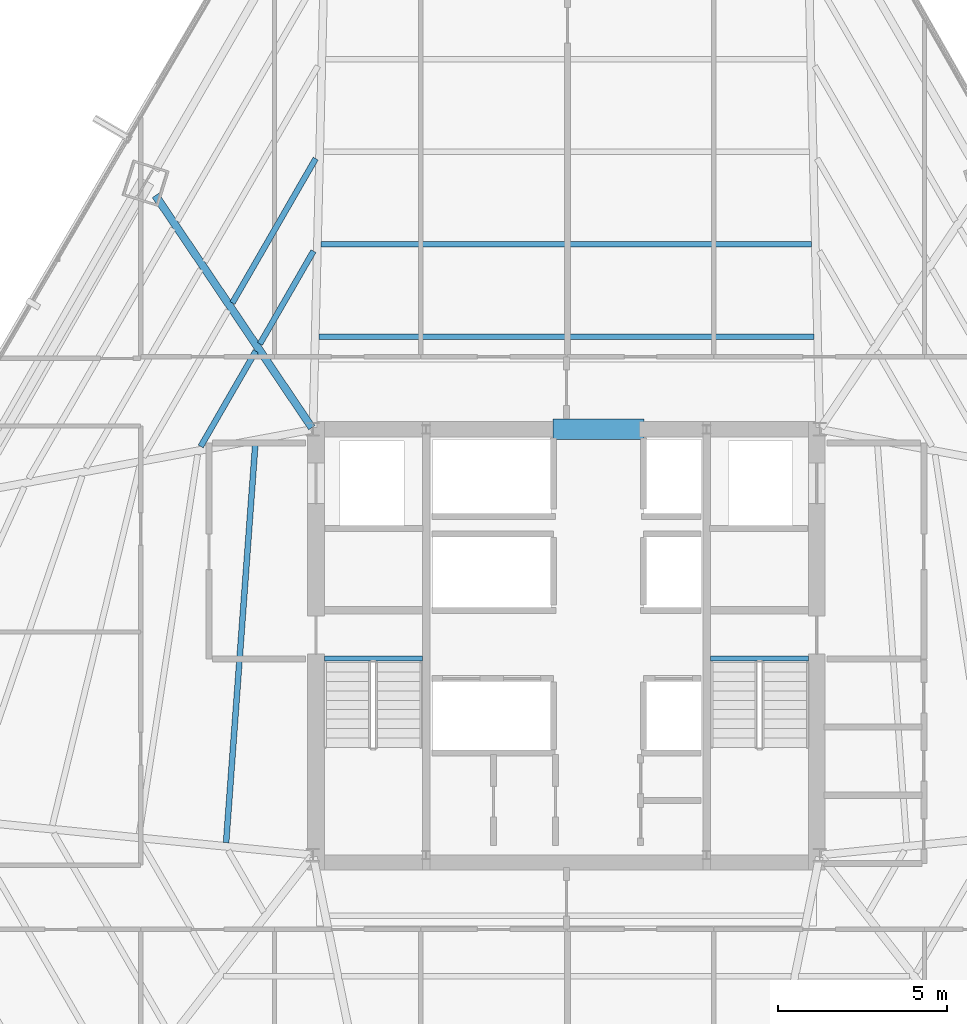
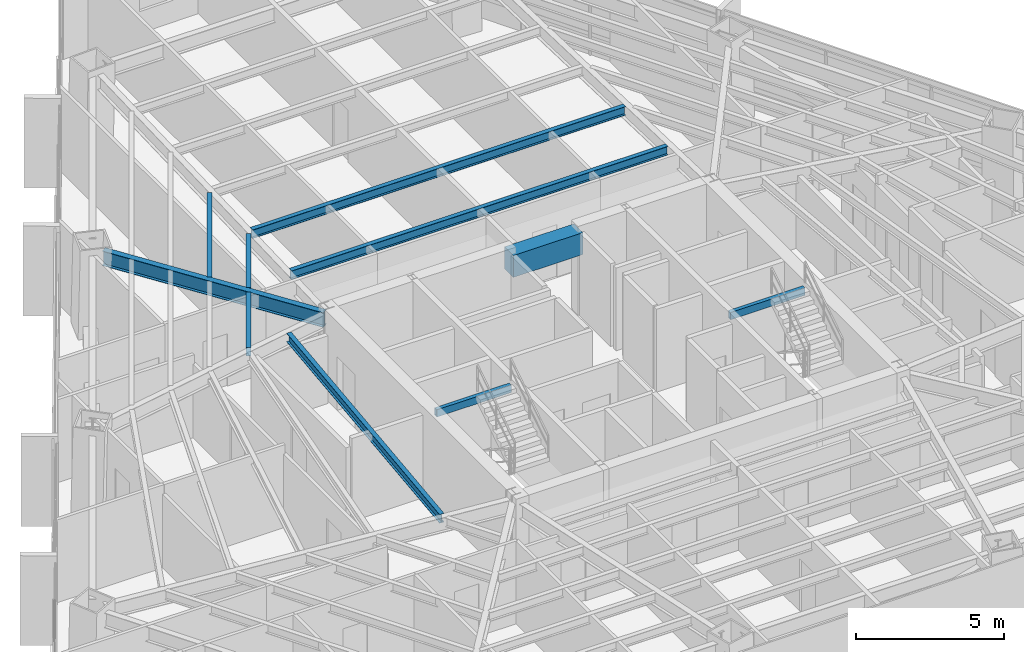
# One storey, part 15 of 37: 10 beams.
"""IFC4 building model written with IfcOpenShell, lengths in metres."""

import ifcopenshell
import ifcopenshell.guid

model = None  # the IFC model being written
_history = None  # IfcOwnerHistory: only IFC2X3 demands one
_inside = {}  # id of a spatial element -> (the spatial element, [elements in it])
_under = {}  # id of a project, library or spatial element -> (it, [spatial elements below it])
_declared = {}  # id of a project -> (the project, [libraries it declares])
_typed = {}  # id of a type object -> (the type object, [elements of that type])
_made_of = {}  # id of a material, layer set ... -> (it, [elements and type objects made of it])


def new_model(schema):
    """Start an empty IFC model of exactly this schema.

    Asked for "IFC4X3", IfcOpenShell would pick the latest addendum, in which some entities
    have other attributes; the version numbers below select the first issue.
    IFC2X3 requires an IfcOwnerHistory on every rooted entity: one is made here for all.
    """
    global model, _history
    if schema == "IFC4X3":
        model = ifcopenshell.file(schema_version=(4, 3, 0, 0))
    else:
        model = ifcopenshell.file(schema=schema)
    _inside.clear()
    _under.clear()
    _declared.clear()
    _typed.clear()
    _made_of.clear()
    _history = None
    if model.schema == "IFC2X3":
        org = make("IfcOrganization", Name="unknown")
        user = make(
            "IfcPersonAndOrganization",
            ThePerson=make("IfcPerson", FamilyName="unknown"),
            TheOrganization=org,
        )
        app = make(
            "IfcApplication",
            ApplicationDeveloper=org,
            Version="unknown",
            ApplicationFullName="unknown",
            ApplicationIdentifier="unknown",
        )
        _history = make(
            "IfcOwnerHistory",
            OwningUser=user,
            OwningApplication=app,
            ChangeAction="ADDED",
            CreationDate=0,
        )
    return model


def make(cls, **values):
    """One entity of the class cls with the attributes given. An attribute that is None is left unset."""
    return model.create_entity(
        cls, **{name: value for name, value in values.items() if value is not None}
    )


def rooted(cls, **values):
    """An entity with a GlobalId (a new one), such as an element, a storey or a relation."""
    return make(cls, GlobalId=ifcopenshell.guid.new(), OwnerHistory=_history, **values)


def si_unit(unit_type, name, prefix=None):
    """IfcSIUnit, for example si_unit("LENGTHUNIT", "METRE", prefix="MILLI")."""
    return make("IfcSIUnit", UnitType=unit_type, Prefix=prefix, Name=name)


def assignment(units):
    """IfcUnitAssignment: the units of a project."""
    return None if units is None else make("IfcUnitAssignment", Units=units)


def point(xyz):
    """IfcCartesianPoint."""
    return None if xyz is None else make("IfcCartesianPoint", Coordinates=xyz)


def direction(xyz):
    """IfcDirection."""
    return None if xyz is None else make("IfcDirection", DirectionRatios=xyz)


def frame(location, z_axis=None, x_axis=None):
    """IfcAxis2Placement3D, a coordinate frame: its origin and axes. An axis left out is left unset."""
    return make(
        "IfcAxis2Placement3D",
        Location=point(location),
        Axis=direction(z_axis),
        RefDirection=direction(x_axis),
    )


def frame_2d(location, x_axis=None):
    """IfcAxis2Placement2D, a coordinate frame in the plane: its origin and x axis."""
    return make(
        "IfcAxis2Placement2D", Location=point(location), RefDirection=direction(x_axis)
    )


def origin():
    """The frame at (0, 0, 0) with its axes left unset."""
    return frame((0.0, 0.0, 0.0))


def origin_2d():
    """The frame at (0, 0) in the plane with its x axis left unset."""
    return frame_2d((0.0, 0.0))


def place(relative_to, where):
    """IfcLocalPlacement: puts the frame where relative to a parent placement (None: the world)."""
    return make(
        "IfcLocalPlacement", PlacementRelTo=relative_to, RelativePlacement=where
    )


def context(
    kind, dimensions, precision=None, world=None, true_north=None, identifier=None
):
    """IfcGeometricRepresentationContext, for example the 3D "Model" context."""
    return make(
        "IfcGeometricRepresentationContext",
        ContextIdentifier=identifier,
        ContextType=kind,
        CoordinateSpaceDimension=dimensions,
        Precision=precision,
        WorldCoordinateSystem=world,
        TrueNorth=true_north,
    )


def subcontext(parent, identifier, kind, view, scale=None):
    """IfcGeometricRepresentationSubContext, for example "Body" below "Model"."""
    return make(
        "IfcGeometricRepresentationSubContext",
        ContextIdentifier=identifier,
        ContextType=kind,
        ParentContext=parent,
        TargetScale=scale,
        TargetView=view,
    )


def project(units=None, contexts=None):
    """IfcProject with its units and contexts."""
    return rooted(
        "IfcProject",
        Name="project",
        RepresentationContexts=contexts,
        UnitsInContext=assignment(units),
    )


def spatial(cls, under=None, at=None, **own):
    """A site, building, storey or space (cls), placed at a placement, below another one or the project."""
    s = rooted(cls, ObjectPlacement=at, **own)
    if under is not None:
        _under.setdefault(under.id(), (under, []))[1].append(s)
    return s


def profile(cls, at=None, kind="AREA", **sizes):
    """A parametric profile (cls). Its sizes go by their IFC names, for example OverallWidth=200.0."""
    return make(cls, ProfileType=kind, Position=at, **sizes)


def rectangle(**sizes):
    """IfcRectangleProfileDef."""
    return profile("IfcRectangleProfileDef", **sizes)


def hollow_rectangle(**sizes):
    """IfcRectangleHollowProfileDef."""
    return profile("IfcRectangleHollowProfileDef", **sizes)


def i_section(**sizes):
    """IfcIShapeProfileDef."""
    return profile("IfcIShapeProfileDef", **sizes)


def extrude(swept, where, along, depth):
    """IfcExtrudedAreaSolid: the profile swept, set in the frame where, extruded along a direction by depth."""
    return make(
        "IfcExtrudedAreaSolid",
        SweptArea=swept,
        Position=where,
        ExtrudedDirection=direction(along),
        Depth=depth,
    )


def shape(context_of_items, identifier, shape_type, items):
    """IfcShapeRepresentation: the items that make up one representation, for example the "Body"."""
    return make(
        "IfcShapeRepresentation",
        ContextOfItems=context_of_items,
        RepresentationIdentifier=identifier,
        RepresentationType=shape_type,
        Items=items,
    )


def source(mapping_origin, context_of_items, identifier, shape_type, items):
    """IfcRepresentationMap: a shape defined once, which mapped items show again and again."""
    return make(
        "IfcRepresentationMap",
        MappingOrigin=mapping_origin,
        MappedRepresentation=shape(context_of_items, identifier, shape_type, items),
    )


def transform(
    local_origin,
    x_axis=None,
    y_axis=None,
    z_axis=None,
    scale=None,
    scale2=None,
    scale3=None,
    uniform=True,
):
    """IfcCartesianTransformationOperator3D, or its non-uniform kind. x_axis, y_axis, z_axis: its Axis1, 2, 3."""
    if uniform:
        return make(
            "IfcCartesianTransformationOperator3D",
            Axis1=direction(x_axis),
            Axis2=direction(y_axis),
            LocalOrigin=point(local_origin),
            Scale=scale,
            Axis3=direction(z_axis),
        )
    return make(
        "IfcCartesianTransformationOperator3DnonUniform",
        Axis1=direction(x_axis),
        Axis2=direction(y_axis),
        LocalOrigin=point(local_origin),
        Scale=scale,
        Axis3=direction(z_axis),
        Scale2=scale2,
        Scale3=scale3,
    )


def mapped(mapping_source, mapping_target):
    """IfcMappedItem: shows the shape of a source again, moved by a transform."""
    return make(
        "IfcMappedItem", MappingSource=mapping_source, MappingTarget=mapping_target
    )


def material(Name=None, Category=None):
    """IfcMaterial."""
    return make("IfcMaterial", Name=Name, Category=Category)


def material_profile(
    of_material, cross_section, Name=None, Category=None, Priority=None
):
    """IfcMaterialProfile: a cross section and its material."""
    return make(
        "IfcMaterialProfile",
        Name=Name,
        Material=of_material,
        Profile=cross_section,
        Priority=Priority,
        Category=Category,
    )


def profile_set(profiles, Name=None, composite=None):
    """IfcMaterialProfileSet."""
    return make(
        "IfcMaterialProfileSet",
        Name=Name,
        MaterialProfiles=profiles,
        CompositeProfile=composite,
    )


def made_of(thing, what):
    """Note that an element or type object is made of a material, layer set ...; save() writes the relation."""
    if what is not None:
        _made_of.setdefault(what.id(), (what, []))[1].append(thing)
    return thing


def type_object(cls, material=None, **own):
    """A type object (cls), such as IfcWallType, which elements share."""
    return made_of(rooted(cls, **own), material)


def type_shapes(of_type, sources):
    """Give a type object the sources (RepresentationMaps) that its elements show as mapped items."""
    of_type.RepresentationMaps = sources


def element(
    cls,
    number,
    at=None,
    inside=None,
    cuts=None,
    type_object=None,
    material=None,
    context=None,
    identifier="Body",
    shape_type=None,
    held_by="IfcProductDefinitionShape",
    body=None,
    shapes=None,
    **own,
):
    """One element of the class cls, such as IfcWall. Its Tag is "e" and its number.

    at: its placement. inside: the storey or other place that contains it. cuts: it is an
    opening in that element (IfcRelVoidsElement). A single representation is given by context,
    identifier, shape_type and body (its items); several are given by shapes. held_by: the class
    of the entity that holds the representations. save() writes the other relations.
    """
    e = rooted(cls, Tag="e%d" % number, ObjectPlacement=at, **own)
    if body is not None:
        shapes = [shape(context, identifier, shape_type, body)]
    if shapes is not None:
        e.Representation = make(held_by, Representations=shapes)
    if inside is not None:
        _inside.setdefault(inside.id(), (inside, []))[1].append(e)
    if cuts is not None:
        rooted(
            "IfcRelVoidsElement", RelatingBuildingElement=cuts, RelatedOpeningElement=e
        )
    if type_object is not None:
        _typed.setdefault(type_object.id(), (type_object, []))[1].append(e)
    return made_of(e, material)


def aggregate(whole, parts):
    """IfcRelAggregates: a whole, such as a stair, and the parts it consists of."""
    return rooted("IfcRelAggregates", RelatingObject=whole, RelatedObjects=parts)


def save(model, path):
    """Write the relations noted so far, then the file.

    IfcRelAggregates (storeys below a building ...), IfcRelContainedInSpatialStructure (elements
    in a storey), IfcRelDefinesByType, IfcRelAssociatesMaterial and IfcRelDeclares: one each for
    every whole, place, type object, material and project.
    """
    for whole, parts in _under.values():
        aggregate(whole, parts)
    for where, things in _inside.values():
        rooted(
            "IfcRelContainedInSpatialStructure",
            RelatedElements=things,
            RelatingStructure=where,
        )
    for kind, things in _typed.values():
        rooted("IfcRelDefinesByType", RelatedObjects=things, RelatingType=kind)
    for what, things in _made_of.values():
        rooted("IfcRelAssociatesMaterial", RelatedObjects=things, RelatingMaterial=what)
    for by, libraries in _declared.values():
        rooted("IfcRelDeclares", RelatingContext=by, RelatedDefinitions=libraries)
    model.write(path)


model = new_model("IFC4")

# Units and contexts
model_context = context("Model", 3, precision=1e-05, world=origin(), true_north=direction((0.0, 1.0)))
body_context = subcontext(model_context, "Body", "Model", "MODEL_VIEW")
ifc_project = project(units=[si_unit("LENGTHUNIT", "METRE"), si_unit("AREAUNIT", "SQUARE_METRE"), si_unit("VOLUMEUNIT", "CUBIC_METRE"), si_unit("PLANEANGLEUNIT", "RADIAN"), si_unit("MASSUNIT", "GRAM", prefix="KILO")], contexts=[model_context])

# Site, building, storey
site_placement = place(None, origin())
site = spatial("IfcSite", under=ifc_project, at=site_placement, CompositionType="ELEMENT")
building_placement = place(site_placement, origin())
building = spatial("IfcBuilding", under=site, at=building_placement, Name="Caelisora Broadcast Tower", CompositionType="ELEMENT")
storey_placement = place(building_placement, frame((0.0, 0.0, 116.35009765625)))
storey = spatial("IfcBuildingStorey", under=building, at=storey_placement, Name="L30", CompositionType="ELEMENT", Elevation=116.35009765625)

# Beams
ifc_material_1 = material(Name="Steel Grade 350 (AS/NZS 1163 C350L0)", Category="steel")
ifc_material_profile_1 = material_profile(ifc_material_1, hollow_rectangle(XDim=0.14990234375, YDim=0.300048828125, WallThickness=0.010009765625, at=origin_2d()), Name="Steel Grade 350 (AS/NZS 1163 C350L0)")
ifc_profile_set_1 = profile_set([ifc_material_profile_1], Name="Steel Grade 350 (AS/NZS 1163 C350L0)")
beam_type_1 = type_object("IfcBeamType", Name="SB05", PredefinedType="JOIST", material=ifc_profile_set_1)
shared_shape_1 = source(origin(), body_context, "Body", "SweptSolid", [
    extrude(hollow_rectangle(XDim=0.14990234375, YDim=0.300048828125, WallThickness=0.010009765625, at=origin_2d()), origin(), (0.0, 0.0, 1.0), 2.89990234375),
])
type_shapes(beam_type_1, [shared_shape_1])
for number, where, z_axis, x_axis, name in (
    (1, (30.840087890625, 23.219970703125, 3.25), (1.0, 0.0, 0.0), (0.0, 1.0, 0.0), "L30 beam SB05"),
    (2, (42.260009765625, 23.219970703125, 3.25), (1.0, 0.0, 0.0), (0.0, 1.0, 0.0), "L30 beam SB05"),
):
    element("IfcBeam", number, at=place(storey_placement, frame(where, z_axis=z_axis, x_axis=x_axis)), inside=storey, type_object=beam_type_1, Name=name, PredefinedType="JOIST", context=body_context, shape_type="MappedRepresentation", body=[
        mapped(shared_shape_1, transform((0.0, 0.0, 0.0), scale=1.0)),
    ])
ifc_material_2 = material(Name="Concrete 50 MPa (AS 3600 S50)", Category="concrete")
ifc_material_profile_2 = material_profile(ifc_material_2, rectangle(XDim=0.60009765625, YDim=0.89990234375, at=origin_2d()), Name="Concrete 50 MPa (AS 3600 S50)")
ifc_profile_set_2 = profile_set([ifc_material_profile_2], Name="Concrete 50 MPa (AS 3600 S50)")
beam_type_2 = type_object("IfcBeamType", Name="CB02", PredefinedType="LINTEL", material=ifc_profile_set_2)
shared_shape_2 = source(origin(), body_context, "Body", "SweptSolid", [
    extrude(rectangle(XDim=0.60009765625, YDim=0.89990234375, at=origin_2d()), origin(), (0.0, 0.0, 1.0), 2.699951171875),
])
type_shapes(beam_type_2, [shared_shape_2])
beam_1_placement = place(storey_placement, frame((37.60009765625, 30.0, 2.949951171875), z_axis=(1.0, 0.0, 0.0), x_axis=(0.0, 1.0, 0.0)))
element("IfcBeam", 3, at=beam_1_placement, inside=storey, type_object=beam_type_2, Name="L30 beam CB02", PredefinedType="LINTEL", context=body_context, shape_type="MappedRepresentation", body=[
    mapped(shared_shape_2, transform((0.0, 0.0, 0.0), scale=1.0)),
])
ifc_material_3 = material(Name="Steel Grade 350 (AS/NZS 3679.1)", Category="steel")
ifc_material_profile_3 = material_profile(ifc_material_3, i_section(OverallWidth=0.22802734375, OverallDepth=0.602294921875, WebThickness=0.010498046875, FlangeThickness=0.014892578125, at=origin_2d()), Name="Steel Grade 350 (AS/NZS 3679.1)")
ifc_profile_set_3 = profile_set([ifc_material_profile_3], Name="Steel Grade 350 (AS/NZS 3679.1)")
beam_type_3 = type_object("IfcBeamType", Name="PG04", PredefinedType="BEAM", material=ifc_profile_set_3)
shared_shape_3 = source(origin(), body_context, "Body", "SweptSolid", [
    extrude(i_section(OverallWidth=0.22802734375, OverallDepth=0.602294921875, WebThickness=0.010498046875, FlangeThickness=0.014892578125, at=origin_2d()), origin(), (0.0, 0.0, 1.0), 8.28369140625),
])
type_shapes(beam_type_3, [shared_shape_3])
beam_2_placement = place(storey_placement, frame((30.466552734375, 30.0498046875, 3.098876953125), z_axis=(-0.558733613554, 0.829347182478, 0.0), x_axis=(-0.829347182478, -0.558733613554, 0.0)))
element("IfcBeam", 4, at=beam_2_placement, inside=storey, type_object=beam_type_3, Name="L30 beam PG04", PredefinedType="BEAM", context=body_context, shape_type="MappedRepresentation", body=[
    mapped(shared_shape_3, transform((0.0, 0.0, 0.0), scale=1.0)),
])
ifc_material_profile_4 = material_profile(ifc_material_3, i_section(OverallWidth=0.172119140625, OverallDepth=0.358642578125, WebThickness=0.008056640625, FlangeThickness=0.012939453125, at=origin_2d()), Name="Steel Grade 350 (AS/NZS 3679.1)")
ifc_profile_set_4 = profile_set([ifc_material_profile_4], Name="Steel Grade 350 (AS/NZS 3679.1)")
beam_type_4 = type_object("IfcBeamType", Name="SB02", PredefinedType="JOIST", material=ifc_profile_set_4)
shared_shape_4 = source(origin(), body_context, "Body", "SweptSolid", [
    extrude(i_section(OverallWidth=0.172119140625, OverallDepth=0.358642578125, WebThickness=0.008056640625, FlangeThickness=0.012939453125, at=origin_2d()), origin(), (0.0, 0.0, 1.0), 14.64599609375),
])
beam_3_placement = place(storey_placement, frame((45.322998046875, 32.739013671875, 3.220703125), z_axis=(-1.0, 0.0, 0.0), x_axis=(0.0, -1.0, 0.0)))
element("IfcBeam", 5, at=beam_3_placement, inside=storey, type_object=beam_type_4, Name="L30 beam SB02", PredefinedType="JOIST", context=body_context, shape_type="MappedRepresentation", body=[
    mapped(shared_shape_4, transform((0.0, 0.0, 0.0), scale=1.0)),
])
shared_shape_5 = source(origin(), body_context, "Body", "SweptSolid", [
    extrude(i_section(OverallWidth=0.172119140625, OverallDepth=0.358642578125, WebThickness=0.008056640625, FlangeThickness=0.012939453125, at=origin_2d()), origin(), (0.0, 0.0, 1.0), 14.51416015625),
])
beam_4_placement = place(storey_placement, frame((45.257080078125, 35.478271484375, 3.220703125), z_axis=(-1.0, 0.0, 0.0), x_axis=(0.0, -1.0, 0.0)))
element("IfcBeam", 6, at=beam_4_placement, inside=storey, type_object=beam_type_4, Name="L30 beam SB02", PredefinedType="JOIST", context=body_context, shape_type="MappedRepresentation", body=[
    mapped(shared_shape_5, transform((0.0, 0.0, 0.0), scale=1.0)),
])
shared_shape_6 = source(origin(), body_context, "Body", "SweptSolid", [
    extrude(i_section(OverallWidth=0.172119140625, OverallDepth=0.358642578125, WebThickness=0.008056640625, FlangeThickness=0.012939453125, at=origin_2d()), origin(), (0.0, 0.0, 1.0), 3.169189453125),
])
beam_5_placement = place(storey_placement, frame((30.514404296875, 35.274658203125, 3.220703125), z_axis=(-0.500024743381, -0.866011117715, 0.0), x_axis=(0.866011117715, -0.500024743381, 0.0)))
element("IfcBeam", 7, at=beam_5_placement, inside=storey, type_object=beam_type_4, Name="L30 beam SB02", PredefinedType="JOIST", context=body_context, shape_type="MappedRepresentation", body=[
    mapped(shared_shape_6, transform((0.0, 0.0, 0.0), scale=1.0)),
])
shared_shape_7 = source(origin(), body_context, "Body", "SweptSolid", [
    extrude(i_section(OverallWidth=0.172119140625, OverallDepth=0.358642578125, WebThickness=0.008056640625, FlangeThickness=0.012939453125, at=origin_2d()), origin(), (0.0, 0.0, 1.0), 4.933349609375),
])
beam_6_placement = place(storey_placement, frame((30.580322265625, 38.013916015625, 3.220703125), z_axis=(-0.499976627501, -0.866038897483, 0.0), x_axis=(0.866038897483, -0.499976627501, 0.0)))
element("IfcBeam", 8, at=beam_6_placement, inside=storey, type_object=beam_type_4, Name="L30 beam SB02", PredefinedType="JOIST", context=body_context, shape_type="MappedRepresentation", body=[
    mapped(shared_shape_7, transform((0.0, 0.0, 0.0), scale=1.0)),
])
shared_shape_8 = source(origin(), body_context, "Body", "SweptSolid", [
    extrude(i_section(OverallWidth=0.172119140625, OverallDepth=0.358642578125, WebThickness=0.008056640625, FlangeThickness=0.012939453125, at=origin_2d()), origin(), (0.0, 0.0, 1.0), 3.25732421875),
])
beam_7_placement = place(storey_placement, frame((28.805908203125, 32.3154296875, 3.220703125), z_axis=(-0.49998412796, -0.866034567317, 0.0), x_axis=(0.866034567317, -0.49998412796, 0.0)))
element("IfcBeam", 9, at=beam_7_placement, inside=storey, type_object=beam_type_4, Name="L30 beam SB02", PredefinedType="JOIST", context=body_context, shape_type="MappedRepresentation", body=[
    mapped(shared_shape_8, transform((0.0, 0.0, 0.0), scale=1.0)),
])
shared_shape_9 = source(origin(), body_context, "Body", "SweptSolid", [
    extrude(i_section(OverallWidth=0.172119140625, OverallDepth=0.358642578125, WebThickness=0.008056640625, FlangeThickness=0.012939453125, at=origin_2d()), origin(), (0.0, 0.0, 1.0), 11.834228515625),
])
type_shapes(beam_type_4, [shared_shape_4, shared_shape_5, shared_shape_6, shared_shape_7, shared_shape_8, shared_shape_9])
beam_8_placement = place(storey_placement, frame((28.79345703125, 29.569091796875, 3.220703125), z_axis=(-0.073133793548, -0.99732213865, 0.0), x_axis=(0.99732213865, -0.073133793548, 0.0)))
element("IfcBeam", 10, at=beam_8_placement, inside=storey, type_object=beam_type_4, Name="L30 beam SB02", PredefinedType="JOIST", context=body_context, shape_type="MappedRepresentation", body=[
    mapped(shared_shape_9, transform((0.0, 0.0, 0.0), scale=1.0)),
])

save(model, "model.ifc")
